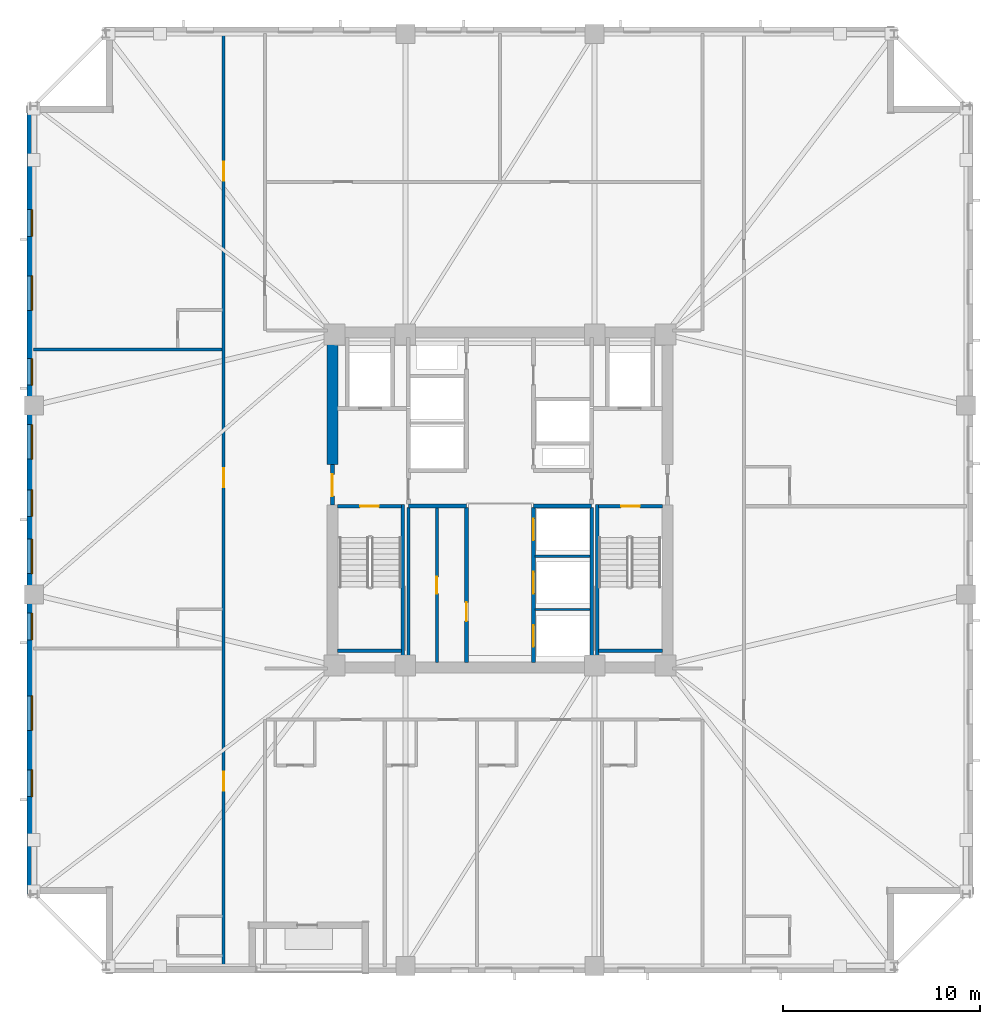
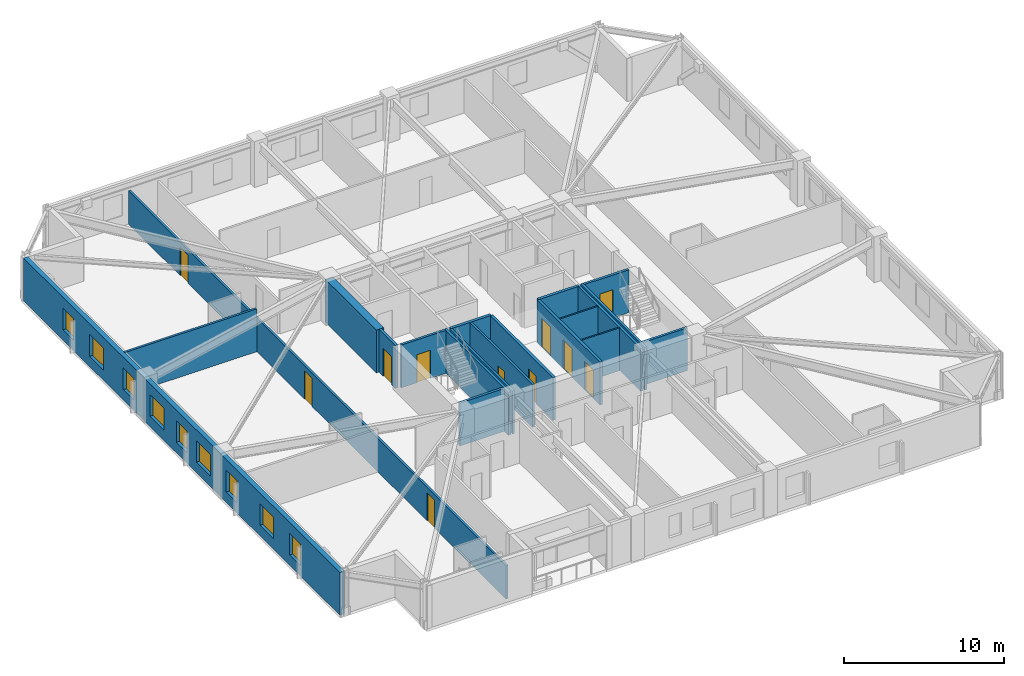
# One storey, part 3 of 11: 20 walls, 11 doors, 9 windows, 20 openings.
"""IFC4 building model written with IfcOpenShell, lengths in metres."""

import ifcopenshell
import ifcopenshell.guid

model = None  # the IFC model being written
_history = None  # IfcOwnerHistory: only IFC2X3 demands one
_inside = {}  # id of a spatial element -> (the spatial element, [elements in it])
_under = {}  # id of a project, library or spatial element -> (it, [spatial elements below it])
_declared = {}  # id of a project -> (the project, [libraries it declares])
_typed = {}  # id of a type object -> (the type object, [elements of that type])
_made_of = {}  # id of a material, layer set ... -> (it, [elements and type objects made of it])


def new_model(schema):
    """Start an empty IFC model of exactly this schema.

    Asked for "IFC4X3", IfcOpenShell would pick the latest addendum, in which some entities
    have other attributes; the version numbers below select the first issue.
    IFC2X3 requires an IfcOwnerHistory on every rooted entity: one is made here for all.
    """
    global model, _history
    if schema == "IFC4X3":
        model = ifcopenshell.file(schema_version=(4, 3, 0, 0))
    else:
        model = ifcopenshell.file(schema=schema)
    _inside.clear()
    _under.clear()
    _declared.clear()
    _typed.clear()
    _made_of.clear()
    _history = None
    if model.schema == "IFC2X3":
        org = make("IfcOrganization", Name="unknown")
        user = make(
            "IfcPersonAndOrganization",
            ThePerson=make("IfcPerson", FamilyName="unknown"),
            TheOrganization=org,
        )
        app = make(
            "IfcApplication",
            ApplicationDeveloper=org,
            Version="unknown",
            ApplicationFullName="unknown",
            ApplicationIdentifier="unknown",
        )
        _history = make(
            "IfcOwnerHistory",
            OwningUser=user,
            OwningApplication=app,
            ChangeAction="ADDED",
            CreationDate=0,
        )
    return model


def make(cls, **values):
    """One entity of the class cls with the attributes given. An attribute that is None is left unset."""
    return model.create_entity(
        cls, **{name: value for name, value in values.items() if value is not None}
    )


def rooted(cls, **values):
    """An entity with a GlobalId (a new one), such as an element, a storey or a relation."""
    return make(cls, GlobalId=ifcopenshell.guid.new(), OwnerHistory=_history, **values)


def si_unit(unit_type, name, prefix=None):
    """IfcSIUnit, for example si_unit("LENGTHUNIT", "METRE", prefix="MILLI")."""
    return make("IfcSIUnit", UnitType=unit_type, Prefix=prefix, Name=name)


def assignment(units):
    """IfcUnitAssignment: the units of a project."""
    return None if units is None else make("IfcUnitAssignment", Units=units)


def point(xyz):
    """IfcCartesianPoint."""
    return None if xyz is None else make("IfcCartesianPoint", Coordinates=xyz)


def direction(xyz):
    """IfcDirection."""
    return None if xyz is None else make("IfcDirection", DirectionRatios=xyz)


def frame(location, z_axis=None, x_axis=None):
    """IfcAxis2Placement3D, a coordinate frame: its origin and axes. An axis left out is left unset."""
    return make(
        "IfcAxis2Placement3D",
        Location=point(location),
        Axis=direction(z_axis),
        RefDirection=direction(x_axis),
    )


def frame_2d(location, x_axis=None):
    """IfcAxis2Placement2D, a coordinate frame in the plane: its origin and x axis."""
    return make(
        "IfcAxis2Placement2D", Location=point(location), RefDirection=direction(x_axis)
    )


def origin():
    """The frame at (0, 0, 0) with its axes left unset."""
    return frame((0.0, 0.0, 0.0))


def place(relative_to, where):
    """IfcLocalPlacement: puts the frame where relative to a parent placement (None: the world)."""
    return make(
        "IfcLocalPlacement", PlacementRelTo=relative_to, RelativePlacement=where
    )


def context(
    kind, dimensions, precision=None, world=None, true_north=None, identifier=None
):
    """IfcGeometricRepresentationContext, for example the 3D "Model" context."""
    return make(
        "IfcGeometricRepresentationContext",
        ContextIdentifier=identifier,
        ContextType=kind,
        CoordinateSpaceDimension=dimensions,
        Precision=precision,
        WorldCoordinateSystem=world,
        TrueNorth=true_north,
    )


def subcontext(parent, identifier, kind, view, scale=None):
    """IfcGeometricRepresentationSubContext, for example "Body" below "Model"."""
    return make(
        "IfcGeometricRepresentationSubContext",
        ContextIdentifier=identifier,
        ContextType=kind,
        ParentContext=parent,
        TargetScale=scale,
        TargetView=view,
    )


def project(units=None, contexts=None):
    """IfcProject with its units and contexts."""
    return rooted(
        "IfcProject",
        Name="project",
        RepresentationContexts=contexts,
        UnitsInContext=assignment(units),
    )


def spatial(cls, under=None, at=None, **own):
    """A site, building, storey or space (cls), placed at a placement, below another one or the project."""
    s = rooted(cls, ObjectPlacement=at, **own)
    if under is not None:
        _under.setdefault(under.id(), (under, []))[1].append(s)
    return s


def profile(cls, at=None, kind="AREA", **sizes):
    """A parametric profile (cls). Its sizes go by their IFC names, for example OverallWidth=200.0."""
    return make(cls, ProfileType=kind, Position=at, **sizes)


def rectangle(**sizes):
    """IfcRectangleProfileDef."""
    return profile("IfcRectangleProfileDef", **sizes)


def extrude(swept, where, along, depth):
    """IfcExtrudedAreaSolid: the profile swept, set in the frame where, extruded along a direction by depth."""
    return make(
        "IfcExtrudedAreaSolid",
        SweptArea=swept,
        Position=where,
        ExtrudedDirection=direction(along),
        Depth=depth,
    )


def shape(context_of_items, identifier, shape_type, items):
    """IfcShapeRepresentation: the items that make up one representation, for example the "Body"."""
    return make(
        "IfcShapeRepresentation",
        ContextOfItems=context_of_items,
        RepresentationIdentifier=identifier,
        RepresentationType=shape_type,
        Items=items,
    )


def material(Name=None, Category=None):
    """IfcMaterial."""
    return make("IfcMaterial", Name=Name, Category=Category)


def layer(
    of_material, thickness, ventilated=None, Name=None, Category=None, Priority=None
):
    """IfcMaterialLayer: one layer of a wall or slab, of a material (None: an air gap)."""
    return make(
        "IfcMaterialLayer",
        Material=of_material,
        LayerThickness=thickness,
        IsVentilated=ventilated,
        Name=Name,
        Category=Category,
        Priority=Priority,
    )


def layer_set(layers, Name=None):
    """IfcMaterialLayerSet."""
    return make("IfcMaterialLayerSet", MaterialLayers=layers, LayerSetName=Name)


def made_of(thing, what):
    """Note that an element or type object is made of a material, layer set ...; save() writes the relation."""
    if what is not None:
        _made_of.setdefault(what.id(), (what, []))[1].append(thing)
    return thing


def type_object(cls, material=None, **own):
    """A type object (cls), such as IfcWallType, which elements share."""
    return made_of(rooted(cls, **own), material)


def element(
    cls,
    number,
    at=None,
    inside=None,
    cuts=None,
    type_object=None,
    material=None,
    context=None,
    identifier="Body",
    shape_type=None,
    held_by="IfcProductDefinitionShape",
    body=None,
    shapes=None,
    **own,
):
    """One element of the class cls, such as IfcWall. Its Tag is "e" and its number.

    at: its placement. inside: the storey or other place that contains it. cuts: it is an
    opening in that element (IfcRelVoidsElement). A single representation is given by context,
    identifier, shape_type and body (its items); several are given by shapes. held_by: the class
    of the entity that holds the representations. save() writes the other relations.
    """
    e = rooted(cls, Tag="e%d" % number, ObjectPlacement=at, **own)
    if body is not None:
        shapes = [shape(context, identifier, shape_type, body)]
    if shapes is not None:
        e.Representation = make(held_by, Representations=shapes)
    if inside is not None:
        _inside.setdefault(inside.id(), (inside, []))[1].append(e)
    if cuts is not None:
        rooted(
            "IfcRelVoidsElement", RelatingBuildingElement=cuts, RelatedOpeningElement=e
        )
    if type_object is not None:
        _typed.setdefault(type_object.id(), (type_object, []))[1].append(e)
    return made_of(e, material)


def fill(opening, filler):
    """IfcRelFillsElement: the door or window that sits in an opening."""
    return rooted(
        "IfcRelFillsElement",
        RelatingOpeningElement=opening,
        RelatedBuildingElement=filler,
    )


def aggregate(whole, parts):
    """IfcRelAggregates: a whole, such as a stair, and the parts it consists of."""
    return rooted("IfcRelAggregates", RelatingObject=whole, RelatedObjects=parts)


def save(model, path):
    """Write the relations noted so far, then the file.

    IfcRelAggregates (storeys below a building ...), IfcRelContainedInSpatialStructure (elements
    in a storey), IfcRelDefinesByType, IfcRelAssociatesMaterial and IfcRelDeclares: one each for
    every whole, place, type object, material and project.
    """
    for whole, parts in _under.values():
        aggregate(whole, parts)
    for where, things in _inside.values():
        rooted(
            "IfcRelContainedInSpatialStructure",
            RelatedElements=things,
            RelatingStructure=where,
        )
    for kind, things in _typed.values():
        rooted("IfcRelDefinesByType", RelatedObjects=things, RelatingType=kind)
    for what, things in _made_of.values():
        rooted("IfcRelAssociatesMaterial", RelatedObjects=things, RelatingMaterial=what)
    for by, libraries in _declared.values():
        rooted("IfcRelDeclares", RelatingContext=by, RelatedDefinitions=libraries)
    model.write(path)


model = new_model("IFC4")

# Units and contexts
model_context = context("Model", 3, precision=1e-05, world=origin(), true_north=direction((0.0, 1.0)))
body_context = subcontext(model_context, "Body", "Model", "MODEL_VIEW")
ifc_project = project(units=[si_unit("LENGTHUNIT", "METRE"), si_unit("AREAUNIT", "SQUARE_METRE"), si_unit("VOLUMEUNIT", "CUBIC_METRE"), si_unit("PLANEANGLEUNIT", "RADIAN"), si_unit("MASSUNIT", "GRAM", prefix="KILO")], contexts=[model_context])

# Site, building, storey
site_placement = place(None, origin())
site = spatial("IfcSite", under=ifc_project, at=site_placement, CompositionType="ELEMENT")
building_placement = place(site_placement, origin())
building = spatial("IfcBuilding", under=site, at=building_placement, Name="Cairnveth Concourse Tower", CompositionType="ELEMENT")
storey_placement = place(building_placement, frame((0.0, 0.0, 141.0)))
storey = spatial("IfcBuildingStorey", under=building, at=storey_placement, Name="L38", CompositionType="ELEMENT", Elevation=141.0)

# Wall
ifc_material_1 = material(Name="Gypsum Plasterboard Partition", Category="gypsum")
ifc_layer_1 = layer(ifc_material_1, 0.159912109375)
ifc_layer_set_1 = layer_set([ifc_layer_1], Name="Gypsum Plasterboard Partition")
wall_type_1 = type_object("IfcWallType", Name="ACOUSTIC PARTY WALL 180", PredefinedType="PARTITIONING", material=ifc_layer_set_1)
wall_1_placement = place(storey_placement, frame((47.35009765625, 30.760009765625, 0.0), z_axis=(0.0, 0.0, 1.0), x_axis=(0.0, 1.0, 0.0)))
element("IfcWall", 1, at=wall_1_placement, inside=storey, type_object=wall_type_1, Name="Interior Wall IW-L38-025", PredefinedType="PARTITIONING", context=body_context, shape_type="SweptSolid", body=[
    extrude(rectangle(XDim=7.85498046875, YDim=0.159912109375, at=frame_2d((3.927490234375, 0.0))), origin(), (0.0, 0.0, 1.0), 3.280029296875),
])

# Wall, opening, door
wall_2_placement = place(storey_placement, frame((48.800048828125, 30.760009765625, 0.0), z_axis=(0.0, 0.0, 1.0), x_axis=(0.0, 1.0, 0.0)))
wall_2 = element("IfcWall", 2, at=wall_2_placement, inside=storey, type_object=wall_type_1, Name="Interior Wall IW-L38-026", PredefinedType="PARTITIONING", context=body_context, shape_type="SweptSolid", body=[
    extrude(rectangle(XDim=7.85498046875, YDim=0.159912109375, at=frame_2d((3.927490234375, 0.0))), origin(), (0.0, 0.0, 1.0), 3.280029296875),
])
opening_1_placement = place(wall_2_placement, frame((3.489990234375, 0.0, 0.0)))
opening_1 = element("IfcOpeningElement", 3, at=opening_1_placement, cuts=wall_2, Name="Opening ID19", PredefinedType="OPENING", context=body_context, shape_type="SweptSolid", body=[
    extrude(rectangle(XDim=0.85009765625, YDim=2.1201171875, at=frame_2d((0.425048828125, 1.06005859375))), frame((0.0, 0.08984375, 0.0), z_axis=(0.0, -1.0, 0.0), x_axis=(1.0, 0.0, 0.0)), (0.0, 0.0, 1.0), 0.179931640625),
])
ifc_material_2 = material(Name="Steel Grade 350", Category="steel")
door_type_1 = type_object("IfcDoorType", Name="CORE SERVICE DOOR 850X2100", OperationType="NOTDEFINED", PredefinedType="DOOR", material=ifc_material_2)
door_1_placement = place(opening_1_placement, origin())
door_1 = element("IfcDoor", 4, at=door_1_placement, inside=storey, type_object=door_type_1, Name="Inner Store Door L38", OperationType="SINGLE_SWING_RIGHT", OverallHeight=2.1201171875, OverallWidth=0.85009765625, PredefinedType="DOOR", context=body_context, shape_type="SweptSolid", body=[
    extrude(rectangle(XDim=0.85009765625, YDim=2.1201171875, at=frame_2d((0.425048828125, 1.06005859375))), frame((0.0, 0.02490234375, 0.0), z_axis=(0.0, -1.0, 0.0), x_axis=(1.0, 0.0, 0.0)), (0.0, 0.0, 1.0), 0.050048828125),
])
fill(opening_1, door_1)

# Wall, openings, doors
wall_3_placement = place(storey_placement, frame((37.97509765625, 15.324951171875, 0.0), z_axis=(0.0, 0.0, 1.0), x_axis=(0.0, 1.0, 0.0)))
wall_3 = element("IfcWall", 5, at=wall_3_placement, inside=storey, type_object=wall_type_1, Name="Interior Wall IW-L38-036", PredefinedType="PARTITIONING", context=body_context, shape_type="SweptSolid", body=[
    extrude(rectangle(XDim=47.35009765625, YDim=0.159912109375, at=frame_2d((23.675048828125, 0.0))), origin(), (0.0, 0.0, 1.0), 2.554931640625),
])
opening_2_placement = place(wall_3_placement, frame((8.93359375, 0.0, 0.0)))
opening_2 = element("IfcOpeningElement", 6, at=opening_2_placement, cuts=wall_3, Name="Opening ID09", PredefinedType="OPENING", context=body_context, shape_type="SweptSolid", body=[
    extrude(rectangle(XDim=0.9599609375, YDim=2.14990234375, at=frame_2d((0.47998046875, 1.074951171875))), frame((0.0, 0.08984375, 0.0), z_axis=(0.0, -1.0, 0.0), x_axis=(1.0, 0.0, 0.0)), (0.0, 0.0, 1.0), 0.179931640625),
])
opening_3_placement = place(wall_3_placement, frame((24.31884765625, 0.0, 0.0)))
opening_3 = element("IfcOpeningElement", 7, at=opening_3_placement, cuts=wall_3, Name="Opening ID09", PredefinedType="OPENING", context=body_context, shape_type="SweptSolid", body=[
    extrude(rectangle(XDim=0.9599609375, YDim=2.14990234375, at=frame_2d((0.47998046875, 1.074951171875))), frame((0.0, 0.08984375, 0.0), z_axis=(0.0, -1.0, 0.0), x_axis=(1.0, 0.0, 0.0)), (0.0, 0.0, 1.0), 0.179931640625),
])
opening_4_placement = place(wall_3_placement, frame((39.88037109375, 0.0, 0.0)))
opening_4 = element("IfcOpeningElement", 8, at=opening_4_placement, cuts=wall_3, Name="Opening ID09", PredefinedType="OPENING", context=body_context, shape_type="SweptSolid", body=[
    extrude(rectangle(XDim=0.9599609375, YDim=2.14990234375, at=frame_2d((0.47998046875, 1.074951171875))), frame((0.0, 0.08984375, 0.0), z_axis=(0.0, -1.0, 0.0), x_axis=(1.0, 0.0, 0.0)), (0.0, 0.0, 1.0), 0.179931640625),
])
ifc_material_3 = material(Name="Solid Core Hardwood Timber Leaf", Category="wood")
door_type_2 = type_object("IfcDoorType", Name="HOTEL ENTRANCE DOOR 960X2150", OperationType="NOTDEFINED", PredefinedType="DOOR", material=ifc_material_3)
door_2_placement = place(opening_2_placement, origin())
door_2 = element("IfcDoor", 9, at=door_2_placement, inside=storey, type_object=door_type_2, Name="Hotel Room Door L38-W1", OperationType="SINGLE_SWING_LEFT", OverallHeight=2.14990234375, OverallWidth=0.9599609375, PredefinedType="DOOR", context=body_context, shape_type="SweptSolid", body=[
    extrude(rectangle(XDim=0.9599609375, YDim=2.14990234375, at=frame_2d((0.47998046875, 1.074951171875))), frame((0.0, 0.02490234375, 0.0), z_axis=(0.0, -1.0, 0.0), x_axis=(1.0, 0.0, 0.0)), (0.0, 0.0, 1.0), 0.050048828125),
])
fill(opening_2, door_2)
door_3_placement = place(opening_3_placement, origin())
door_3 = element("IfcDoor", 10, at=door_3_placement, inside=storey, type_object=door_type_2, Name="Hotel Room Door L38-W2", OperationType="SINGLE_SWING_LEFT", OverallHeight=2.14990234375, OverallWidth=0.9599609375, PredefinedType="DOOR", context=body_context, shape_type="SweptSolid", body=[
    extrude(rectangle(XDim=0.9599609375, YDim=2.14990234375, at=frame_2d((0.47998046875, 1.074951171875))), frame((0.0, 0.02490234375, 0.0), z_axis=(0.0, -1.0, 0.0), x_axis=(1.0, 0.0, 0.0)), (0.0, 0.0, 1.0), 0.050048828125),
])
fill(opening_3, door_3)
door_4_placement = place(opening_4_placement, origin())
door_4 = element("IfcDoor", 11, at=door_4_placement, inside=storey, type_object=door_type_2, Name="Hotel Room Door L38-W3", OperationType="SINGLE_SWING_LEFT", OverallHeight=2.14990234375, OverallWidth=0.9599609375, PredefinedType="DOOR", context=body_context, shape_type="SweptSolid", body=[
    extrude(rectangle(XDim=0.9599609375, YDim=2.14990234375, at=frame_2d((0.47998046875, 1.074951171875))), frame((0.0, 0.02490234375, 0.0), z_axis=(0.0, -1.0, 0.0), x_axis=(1.0, 0.0, 0.0)), (0.0, 0.0, 1.0), 0.050048828125),
])
fill(opening_4, door_4)

# Walls
wall_4_placement = place(storey_placement, frame((28.324951171875, 46.640625, 0.0), z_axis=(0.0, 0.0, 1.0), x_axis=(1.0, 0.0, 0.0)))
element("IfcWall", 12, at=wall_4_placement, inside=storey, type_object=wall_type_1, Name="Interior Wall IW-L38-067", PredefinedType="PARTITIONING", context=body_context, shape_type="SweptSolid", body=[
    extrude(rectangle(XDim=9.570068359375, YDim=0.159912109375, at=frame_2d((4.78515625, 0.0))), origin(), (0.0, 0.0, 1.0), 3.280029296875),
])
ifc_material_4 = material(Name="Concrete N80 (80 MPa)", Category="concrete")
ifc_layer_2 = layer(ifc_material_4, 0.550048828125)
ifc_layer_set_2 = layer_set([ifc_layer_2], Name="Concrete N80 (80 MPa)")
wall_type_2 = type_object("IfcWallType", Name="CORE SHEAR WALL 550", PredefinedType="SHEAR", material=ifc_layer_set_2)
wall_5_placement = place(storey_placement, frame((43.5, 40.800048828125, 0.0), z_axis=(0.0, 0.0, 1.0), x_axis=(0.0, 1.0, 0.0)))
element("IfcWall", 13, at=wall_5_placement, inside=storey, type_object=wall_type_2, Name="Core West Shear Wall N L38", PredefinedType="SHEAR", context=body_context, shape_type="SweptSolid", body=[
    extrude(rectangle(XDim=6.43505859375, YDim=0.550048828125, at=frame_2d((3.217529296875, 0.0))), origin(), (0.0, 0.0, 1.0), 3.280029296875),
])
ifc_material_5 = material(Name="Concrete N50 (50 MPa)", Category="concrete")
ifc_layer_3 = layer(ifc_material_5, 0.179931640625)
ifc_layer_set_3 = layer_set([ifc_layer_3], Name="Concrete N50 (50 MPa)")
wall_type_3 = type_object("IfcWallType", Name="FIRE SHAFT WALL 180", PredefinedType="SOLIDWALL", material=ifc_layer_set_3)
wall_6_placement = place(storey_placement, frame((56.64990234375, 30.760009765625, 0.0), z_axis=(0.0, 0.0, 1.0), x_axis=(0.0, 1.0, 0.0)))
element("IfcWall", 14, at=wall_6_placement, inside=storey, type_object=wall_type_3, Name="Interior Wall IW-L38-027", PredefinedType="SOLIDWALL", context=body_context, shape_type="SweptSolid", body=[
    extrude(rectangle(XDim=7.85498046875, YDim=0.179931640625, at=frame_2d((3.927490234375, 0.0))), origin(), (0.0, 0.0, 1.0), 3.280029296875),
])

# Wall, opening, door
wall_7_placement = place(storey_placement, frame((43.764892578125, 38.68994140625, 0.0), z_axis=(0.0, 0.0, 1.0), x_axis=(1.0, 0.0, 0.0)))
wall_7 = element("IfcWall", 15, at=wall_7_placement, inside=storey, type_object=wall_type_3, Name="Stair ST-1 Shaft Wall NEAR L38", PredefinedType="SOLIDWALL", context=body_context, shape_type="SweptSolid", body=[
    extrude(rectangle(XDim=3.230224609375, YDim=0.179931640625, at=frame_2d((1.615234375, 0.0))), origin(), (0.0, 0.0, 1.0), 3.280029296875),
])
opening_5_placement = place(wall_7_placement, frame((1.139892578125, 0.0, 0.0)))
opening_5 = element("IfcOpeningElement", 16, at=opening_5_placement, cuts=wall_7, Name="Opening ID12", PredefinedType="OPENING", context=body_context, shape_type="SweptSolid", body=[
    extrude(rectangle(XDim=0.949951171875, YDim=2.14990234375, at=frame_2d((0.47509765625, 1.074951171875))), frame((0.0, 0.099853515625, 0.0), z_axis=(0.0, -1.0, 0.0), x_axis=(1.0, 0.0, 0.0)), (0.0, 0.0, 1.0), 0.199951171875),
])
door_type_3 = type_object("IfcDoorType", Name="FIRE STAIR DOOR 950X2150", OperationType="NOTDEFINED", PredefinedType="DOOR", material=ifc_material_2)
door_5_placement = place(opening_5_placement, origin())
door_5 = element("IfcDoor", 17, at=door_5_placement, inside=storey, type_object=door_type_3, Name="Stair ST-1 Fire Door L38", OperationType="SINGLE_SWING_LEFT", OverallHeight=2.14990234375, OverallWidth=0.949951171875, PredefinedType="DOOR", context=body_context, shape_type="SweptSolid", body=[
    extrude(rectangle(XDim=0.949951171875, YDim=2.14990234375, at=frame_2d((0.47509765625, 1.074951171875))), frame((0.0, 0.02490234375, 0.0), z_axis=(0.0, -1.0, 0.0), x_axis=(1.0, 0.0, 0.0)), (0.0, 0.0, 1.0), 0.050048828125),
])
fill(opening_5, door_5)

# Walls
wall_8_placement = place(storey_placement, frame((43.764892578125, 31.360107421875, 0.0), z_axis=(0.0, 0.0, 1.0), x_axis=(1.0, 0.0, 0.0)))
element("IfcWall", 18, at=wall_8_placement, inside=storey, type_object=wall_type_3, Name="Stair ST-1 Shaft Wall FAR L38", PredefinedType="SOLIDWALL", context=body_context, shape_type="SweptSolid", body=[
    extrude(rectangle(XDim=3.230224609375, YDim=0.179931640625, at=frame_2d((1.615234375, 0.0))), origin(), (0.0, 0.0, 1.0), 3.280029296875),
])
wall_9_placement = place(storey_placement, frame((47.070068359375, 38.780029296875, 0.0), z_axis=(0.0, 0.0, 1.0), x_axis=(0.0, -1.0, 0.0)))
element("IfcWall", 19, at=wall_9_placement, inside=storey, type_object=wall_type_3, Name="Stair ST-1 Shaft Wall RGHT L38", PredefinedType="SOLIDWALL", context=body_context, shape_type="SweptSolid", body=[
    extrude(rectangle(XDim=8.01708984375, YDim=0.179931640625, at=frame_2d((4.008544921875, 0.0))), origin(), (0.0, 0.0, 1.0), 3.280029296875),
])

# Wall, opening, door
wall_10_placement = place(storey_placement, frame((57.0048828125, 38.68994140625, 0.0), z_axis=(0.0, 0.0, 1.0), x_axis=(1.0, 0.0, 0.0)))
wall_10 = element("IfcWall", 20, at=wall_10_placement, inside=storey, type_object=wall_type_3, Name="Stair ST-2 Shaft Wall NEAR L38", PredefinedType="SOLIDWALL", context=body_context, shape_type="SweptSolid", body=[
    extrude(rectangle(XDim=3.230224609375, YDim=0.179931640625, at=frame_2d((1.615234375, 0.0))), origin(), (0.0, 0.0, 1.0), 3.280029296875),
])
opening_6_placement = place(wall_10_placement, frame((1.139892578125, 0.0, 0.0)))
opening_6 = element("IfcOpeningElement", 21, at=opening_6_placement, cuts=wall_10, Name="Opening ID12", PredefinedType="OPENING", context=body_context, shape_type="SweptSolid", body=[
    extrude(rectangle(XDim=0.949951171875, YDim=2.14990234375, at=frame_2d((0.47509765625, 1.074951171875))), frame((0.0, 0.099853515625, 0.0), z_axis=(0.0, -1.0, 0.0), x_axis=(1.0, 0.0, 0.0)), (0.0, 0.0, 1.0), 0.199951171875),
])
door_6_placement = place(opening_6_placement, origin())
door_6 = element("IfcDoor", 22, at=door_6_placement, inside=storey, type_object=door_type_3, Name="Stair ST-2 Fire Door L38", OperationType="SINGLE_SWING_RIGHT", OverallHeight=2.14990234375, OverallWidth=0.949951171875, PredefinedType="DOOR", context=body_context, shape_type="SweptSolid", body=[
    extrude(rectangle(XDim=0.949951171875, YDim=2.14990234375, at=frame_2d((0.47509765625, 1.074951171875))), frame((0.0, 0.02490234375, 0.0), z_axis=(0.0, -1.0, 0.0), x_axis=(1.0, 0.0, 0.0)), (0.0, 0.0, 1.0), 0.050048828125),
])
fill(opening_6, door_6)

# Walls
wall_11_placement = place(storey_placement, frame((57.0048828125, 31.360107421875, 0.0), z_axis=(0.0, 0.0, 1.0), x_axis=(1.0, 0.0, 0.0)))
element("IfcWall", 23, at=wall_11_placement, inside=storey, type_object=wall_type_3, Name="Stair ST-2 Shaft Wall FAR L38", PredefinedType="SOLIDWALL", context=body_context, shape_type="SweptSolid", body=[
    extrude(rectangle(XDim=3.230224609375, YDim=0.179931640625, at=frame_2d((1.615234375, 0.0))), origin(), (0.0, 0.0, 1.0), 3.280029296875),
])
wall_12_placement = place(storey_placement, frame((56.929931640625, 38.780029296875, 0.0), z_axis=(0.0, 0.0, 1.0), x_axis=(0.0, -1.0, 0.0)))
element("IfcWall", 24, at=wall_12_placement, inside=storey, type_object=wall_type_3, Name="Stair ST-2 Shaft Wall LEFT L38", PredefinedType="SOLIDWALL", context=body_context, shape_type="SweptSolid", body=[
    extrude(rectangle(XDim=8.01708984375, YDim=0.179931640625, at=frame_2d((4.008544921875, 0.0))), origin(), (0.0, 0.0, 1.0), 3.280029296875),
])
ifc_layer_4 = layer(ifc_material_5, 0.199951171875)
ifc_layer_set_4 = layer_set([ifc_layer_4], Name="Concrete N50 (50 MPa)")
wall_type_4 = type_object("IfcWallType", Name="FIRE SHAFT WALL 200", PredefinedType="SOLIDWALL", material=ifc_layer_set_4)
for number, where, z_axis, x_axis, name in (
    (25, (47.35009765625, 38.699951171875, 0.0), (0.0, 0.0, 1.0), (1.0, 0.0, 0.0), "Interior Wall IW-L38-007"),
    (26, (53.699951171875, 38.699951171875, 0.0), (0.0, 0.0, 1.0), (1.0, 0.0, 0.0), "Interior Wall IW-L38-009"),
):
    element("IfcWall", number, at=place(storey_placement, frame(where, z_axis=z_axis, x_axis=x_axis)), inside=storey, type_object=wall_type_4, Name=name, PredefinedType="SOLIDWALL", context=body_context, shape_type="SweptSolid", body=[
        extrude(rectangle(XDim=2.949951171875, YDim=0.199951171875, at=frame_2d((1.47509765625, 0.0))), origin(), (0.0, 0.0, 1.0), 3.280029296875),
    ])

# Wall, opening, door
wall_13_placement = place(storey_placement, frame((50.300048828125, 30.760009765625, 0.0), z_axis=(0.0, 0.0, 1.0), x_axis=(0.0, 1.0, 0.0)))
wall_13 = element("IfcWall", 27, at=wall_13_placement, inside=storey, type_object=wall_type_4, Name="Interior Wall IW-L38-011", PredefinedType="SOLIDWALL", context=body_context, shape_type="SweptSolid", body=[
    extrude(rectangle(XDim=7.85498046875, YDim=0.199951171875, at=frame_2d((3.927490234375, 0.0))), origin(), (0.0, 0.0, 1.0), 3.280029296875),
])
opening_7_placement = place(wall_13_placement, frame((2.090087890625, 0.0, 0.0)))
opening_7 = element("IfcOpeningElement", 28, at=opening_7_placement, cuts=wall_13, Name="Opening ID25", PredefinedType="OPENING", context=body_context, shape_type="SweptSolid", body=[
    extrude(rectangle(XDim=0.949951171875, YDim=2.1201171875, at=frame_2d((0.47509765625, 1.06005859375))), frame((0.0, 0.10986328125, 0.0), z_axis=(0.0, -1.0, 0.0), x_axis=(1.0, 0.0, 0.0)), (0.0, 0.0, 1.0), 0.219970703125),
])
door_type_4 = type_object("IfcDoorType", Name="CORE ACCESSIBLE FIRE DOOR 950X2120", OperationType="NOTDEFINED", PredefinedType="DOOR", material=ifc_material_2)
door_7_placement = place(opening_7_placement, origin())
door_7 = element("IfcDoor", 29, at=door_7_placement, inside=storey, type_object=door_type_4, Name="Accessible WC Suite Door L38", OperationType="SINGLE_SWING_LEFT", OverallHeight=2.1201171875, OverallWidth=0.949951171875, PredefinedType="DOOR", context=body_context, shape_type="SweptSolid", body=[
    extrude(rectangle(XDim=0.949951171875, YDim=2.1201171875, at=frame_2d((0.47509765625, 1.06005859375))), frame((0.0, 0.02490234375, 0.0), z_axis=(0.0, -1.0, 0.0), x_axis=(1.0, 0.0, 0.0)), (0.0, 0.0, 1.0), 0.050048828125),
])
fill(opening_7, door_7)

# Wall, openings, doors
wall_14_placement = place(storey_placement, frame((53.699951171875, 30.760009765625, 0.0), z_axis=(0.0, 0.0, 1.0), x_axis=(0.0, 1.0, 0.0)))
wall_14 = element("IfcWall", 30, at=wall_14_placement, inside=storey, type_object=wall_type_4, Name="Interior Wall IW-L38-012", PredefinedType="SOLIDWALL", context=body_context, shape_type="SweptSolid", body=[
    extrude(rectangle(XDim=7.85498046875, YDim=0.199951171875, at=frame_2d((3.927490234375, 0.0))), origin(), (0.0, 0.0, 1.0), 3.280029296875),
])
opening_8_placement = place(wall_14_placement, frame((0.7900390625, 0.0, 0.0)))
opening_8 = element("IfcOpeningElement", 31, at=opening_8_placement, cuts=wall_14, Name="Opening LD-1", PredefinedType="OPENING", context=body_context, shape_type="SweptSolid", body=[
    extrude(rectangle(XDim=1.10009765625, YDim=2.199951171875, at=frame_2d((0.550048828125, 1.10009765625))), frame((0.0, 0.10986328125, 0.0), z_axis=(0.0, -1.0, 0.0), x_axis=(1.0, 0.0, 0.0)), (0.0, 0.0, 1.0), 0.219970703125),
])
opening_9_placement = place(wall_14_placement, frame((3.489990234375, 0.0, 0.0)))
opening_9 = element("IfcOpeningElement", 32, at=opening_9_placement, cuts=wall_14, Name="Opening LD-1", PredefinedType="OPENING", context=body_context, shape_type="SweptSolid", body=[
    extrude(rectangle(XDim=1.10009765625, YDim=2.199951171875, at=frame_2d((0.550048828125, 1.10009765625))), frame((0.0, 0.10986328125, 0.0), z_axis=(0.0, -1.0, 0.0), x_axis=(1.0, 0.0, 0.0)), (0.0, 0.0, 1.0), 0.219970703125),
])
opening_10_placement = place(wall_14_placement, frame((6.18994140625, 0.0, 0.0)))
opening_10 = element("IfcOpeningElement", 33, at=opening_10_placement, cuts=wall_14, Name="Opening LD-1", PredefinedType="OPENING", context=body_context, shape_type="SweptSolid", body=[
    extrude(rectangle(XDim=1.10009765625, YDim=2.199951171875, at=frame_2d((0.550048828125, 1.10009765625))), frame((0.0, 0.10986328125, 0.0), z_axis=(0.0, -1.0, 0.0), x_axis=(1.0, 0.0, 0.0)), (0.0, 0.0, 1.0), 0.219970703125),
])
ifc_material_6 = material(Name="Architectural Bronze Anodised Aluminium 6063-T6", Category="aluminium")
door_type_5 = type_object("IfcDoorType", Name="LIFT LANDING DOOR 1100X2200", OperationType="SLIDING_TO_LEFT", PredefinedType="DOOR", material=ifc_material_6)
door_8_placement = place(opening_8_placement, origin())
door_8 = element("IfcDoor", 34, at=door_8_placement, inside=storey, type_object=door_type_5, Name="Lift PL4 Landing Door L38", OperationType="SLIDING_TO_LEFT", OverallHeight=2.199951171875, OverallWidth=1.10009765625, PredefinedType="DOOR", context=body_context, shape_type="SweptSolid", body=[
    extrude(rectangle(XDim=1.10009765625, YDim=2.199951171875, at=frame_2d((0.550048828125, 1.10009765625))), frame((0.0, 0.02490234375, 0.0), z_axis=(0.0, -1.0, 0.0), x_axis=(1.0, 0.0, 0.0)), (0.0, 0.0, 1.0), 0.050048828125),
])
fill(opening_8, door_8)
door_9_placement = place(opening_9_placement, origin())
door_9 = element("IfcDoor", 35, at=door_9_placement, inside=storey, type_object=door_type_5, Name="Lift PL5 Landing Door L38", OperationType="SLIDING_TO_LEFT", OverallHeight=2.199951171875, OverallWidth=1.10009765625, PredefinedType="DOOR", context=body_context, shape_type="SweptSolid", body=[
    extrude(rectangle(XDim=1.10009765625, YDim=2.199951171875, at=frame_2d((0.550048828125, 1.10009765625))), frame((0.0, 0.02490234375, 0.0), z_axis=(0.0, -1.0, 0.0), x_axis=(1.0, 0.0, 0.0)), (0.0, 0.0, 1.0), 0.050048828125),
])
fill(opening_9, door_9)
door_10_placement = place(opening_10_placement, origin())
door_10 = element("IfcDoor", 36, at=door_10_placement, inside=storey, type_object=door_type_5, Name="Lift PL6 Landing Door L38", OperationType="SLIDING_TO_LEFT", OverallHeight=2.199951171875, OverallWidth=1.10009765625, PredefinedType="DOOR", context=body_context, shape_type="SweptSolid", body=[
    extrude(rectangle(XDim=1.10009765625, YDim=2.199951171875, at=frame_2d((0.550048828125, 1.10009765625))), frame((0.0, 0.02490234375, 0.0), z_axis=(0.0, -1.0, 0.0), x_axis=(1.0, 0.0, 0.0)), (0.0, 0.0, 1.0), 0.050048828125),
])
fill(opening_10, door_10)

# Wall, opening, door
wall_15_placement = place(storey_placement, frame((43.5, 38.75, 0.0), z_axis=(0.0, 0.0, 1.0), x_axis=(0.0, 1.0, 0.0)))
wall_15 = element("IfcWall", 37, at=wall_15_placement, inside=storey, type_object=wall_type_4, Name="Interior Wall IW-L38-015", PredefinedType="SOLIDWALL", context=body_context, shape_type="SweptSolid", body=[
    extrude(rectangle(XDim=2.050048828125, YDim=0.199951171875, at=frame_2d((1.02490234375, 0.0))), origin(), (0.0, 0.0, 1.0), 3.280029296875),
])
opening_11_placement = place(wall_15_placement, frame((0.449951171875, 0.0, 0.0)))
opening_11 = element("IfcOpeningElement", 38, at=opening_11_placement, cuts=wall_15, Name="Opening ID06", PredefinedType="OPENING", context=body_context, shape_type="SweptSolid", body=[
    extrude(rectangle(XDim=1.10009765625, YDim=2.14990234375, at=frame_2d((0.550048828125, 1.074951171875))), frame((0.0, 0.10986328125, 0.0), z_axis=(0.0, -1.0, 0.0), x_axis=(1.0, 0.0, 0.0)), (0.0, 0.0, 1.0), 0.219970703125),
])
door_type_6 = type_object("IfcDoorType", Name="FIRE CORRIDOR DOOR 1100X2150", OperationType="NOTDEFINED", PredefinedType="DOOR", material=ifc_material_2)
door_11_placement = place(opening_11_placement, origin())
door_11 = element("IfcDoor", 39, at=door_11_placement, inside=storey, type_object=door_type_6, Name="West Wing to FF Lobby Door L38", OperationType="SINGLE_SWING_LEFT", OverallHeight=2.14990234375, OverallWidth=1.10009765625, PredefinedType="DOOR", context=body_context, shape_type="SweptSolid", body=[
    extrude(rectangle(XDim=1.10009765625, YDim=2.14990234375, at=frame_2d((0.550048828125, 1.074951171875))), frame((0.0, 0.02490234375, 0.0), z_axis=(0.0, -1.0, 0.0), x_axis=(1.0, 0.0, 0.0)), (0.0, 0.0, 1.0), 0.050048828125),
])
fill(opening_11, door_11)

# Walls
ifc_layer_5 = layer(ifc_material_1, 0.110107421875)
ifc_layer_set_5 = layer_set([ifc_layer_5], Name="Gypsum Plasterboard Partition")
wall_type_5 = type_object("IfcWallType", Name="SHAFT DIVIDER WALL 140", PredefinedType="PARTITIONING", material=ifc_layer_set_5)
for number, where, z_axis, x_axis, name in (
    (40, (53.784912109375, 33.449951171875, 0.0), (0.0, 0.0, 1.0), (1.0, 0.0, 0.0), "Interior Wall IW-L38-028"),
    (41, (53.784912109375, 36.14990234375, 0.0), (0.0, 0.0, 1.0), (1.0, 0.0, 0.0), "Interior Wall IW-L38-029"),
):
    element("IfcWall", number, at=place(storey_placement, frame(where, z_axis=z_axis, x_axis=x_axis)), inside=storey, type_object=wall_type_5, Name=name, PredefinedType="PARTITIONING", context=body_context, shape_type="SweptSolid", body=[
        extrude(rectangle(XDim=2.7900390625, YDim=0.110107421875, at=frame_2d((1.39501953125, 0.0))), origin(), (0.0, 0.0, 1.0), 3.280029296875),
    ])

# Wall, openings, windows
ifc_material_7 = material(Name="Hawthorn Red-Ochre Fired Clay Brick Masonry", Category="masonry")
ifc_layer_6 = layer(ifc_material_7, 0.340087890625)
ifc_layer_set_6 = layer_set([ifc_layer_6], Name="Hawthorn Red-Ochre Fired Clay Brick Masonry")
wall_type_6 = type_object("IfcWallType", Name="ZONE 2 BRICK PIER SPANDREL WALL 340", PredefinedType="SOLIDWALL", material=ifc_layer_set_6)
wall_16_placement = place(storey_placement, frame((28.169921875, 19.0, 0.0), z_axis=(0.0, 0.0, 1.0), x_axis=(0.0, 1.0, 0.0)))
wall_16 = element("IfcWall", 42, at=wall_16_placement, inside=storey, type_object=wall_type_6, Name="Exterior Wall EW-L38-S03", PredefinedType="SOLIDWALL", context=body_context, shape_type="SweptSolid", body=[
    extrude(rectangle(XDim=39.681884765625, YDim=0.340087890625, at=frame_2d((19.8408203125, 0.0))), origin(), (0.0, 0.0, 1.0), 3.280029296875),
])
opening_12_placement = place(wall_16_placement, frame((4.951904296875, 0.0, 0.800048828125)))
opening_12 = element("IfcOpeningElement", 43, at=opening_12_placement, cuts=wall_16, Name="Opening W02", PredefinedType="OPENING", context=body_context, shape_type="SweptSolid", body=[
    extrude(rectangle(XDim=1.35009765625, YDim=1.659912109375, at=frame_2d((0.675048828125, 0.830078125))), frame((0.0, 0.179931640625, 0.0), z_axis=(0.0, -1.0, 0.0), x_axis=(1.0, 0.0, 0.0)), (0.0, 0.0, 1.0), 0.360107421875),
])
opening_13_placement = place(wall_16_placement, frame((8.305419921875, 0.0, 0.800048828125)))
opening_13 = element("IfcOpeningElement", 44, at=opening_13_placement, cuts=wall_16, Name="Opening W06", PredefinedType="OPENING", context=body_context, shape_type="SweptSolid", body=[
    extrude(rectangle(XDim=1.75, YDim=1.659912109375, at=frame_2d((0.875, 0.830078125))), frame((0.0, 0.179931640625, 0.0), z_axis=(0.0, -1.0, 0.0), x_axis=(1.0, 0.0, 0.0)), (0.0, 0.0, 1.0), 0.360107421875),
])
opening_14_placement = place(wall_16_placement, frame((12.908935546875, 0.0, 0.800048828125)))
opening_14 = element("IfcOpeningElement", 45, at=opening_14_placement, cuts=wall_16, Name="Opening W02", PredefinedType="OPENING", context=body_context, shape_type="SweptSolid", body=[
    extrude(rectangle(XDim=1.35009765625, YDim=1.659912109375, at=frame_2d((0.675048828125, 0.830078125))), frame((0.0, 0.179931640625, 0.0), z_axis=(0.0, -1.0, 0.0), x_axis=(1.0, 0.0, 0.0)), (0.0, 0.0, 1.0), 0.360107421875),
])
opening_15_placement = place(wall_16_placement, frame((16.262451171875, 0.0, 0.800048828125)))
opening_15 = element("IfcOpeningElement", 46, at=opening_15_placement, cuts=wall_16, Name="Opening W06", PredefinedType="OPENING", context=body_context, shape_type="SweptSolid", body=[
    extrude(rectangle(XDim=1.75, YDim=1.659912109375, at=frame_2d((0.875, 0.830078125))), frame((0.0, 0.179931640625, 0.0), z_axis=(0.0, -1.0, 0.0), x_axis=(1.0, 0.0, 0.0)), (0.0, 0.0, 1.0), 0.360107421875),
])
opening_16_placement = place(wall_16_placement, frame((19.166015625, 0.0, 0.800048828125)))
opening_16 = element("IfcOpeningElement", 47, at=opening_16_placement, cuts=wall_16, Name="Opening W02", PredefinedType="OPENING", context=body_context, shape_type="SweptSolid", body=[
    extrude(rectangle(XDim=1.35009765625, YDim=1.659912109375, at=frame_2d((0.675048828125, 0.830078125))), frame((0.0, 0.179931640625, 0.0), z_axis=(0.0, -1.0, 0.0), x_axis=(1.0, 0.0, 0.0)), (0.0, 0.0, 1.0), 0.360107421875),
])
opening_17_placement = place(wall_16_placement, frame((22.069580078125, 0.0, 0.800048828125)))
opening_17 = element("IfcOpeningElement", 48, at=opening_17_placement, cuts=wall_16, Name="Opening W06", PredefinedType="OPENING", context=body_context, shape_type="SweptSolid", body=[
    extrude(rectangle(XDim=1.75, YDim=1.659912109375, at=frame_2d((0.875, 0.830078125))), frame((0.0, 0.179931640625, 0.0), z_axis=(0.0, -1.0, 0.0), x_axis=(1.0, 0.0, 0.0)), (0.0, 0.0, 1.0), 0.360107421875),
])
opening_18_placement = place(wall_16_placement, frame((25.822998046875, 0.0, 0.800048828125)))
opening_18 = element("IfcOpeningElement", 49, at=opening_18_placement, cuts=wall_16, Name="Opening W02", PredefinedType="OPENING", context=body_context, shape_type="SweptSolid", body=[
    extrude(rectangle(XDim=1.35009765625, YDim=1.659912109375, at=frame_2d((0.675048828125, 0.830078125))), frame((0.0, 0.179931640625, 0.0), z_axis=(0.0, -1.0, 0.0), x_axis=(1.0, 0.0, 0.0)), (0.0, 0.0, 1.0), 0.360107421875),
])
opening_19_placement = place(wall_16_placement, frame((29.626708984375, 0.0, 0.800048828125)))
opening_19 = element("IfcOpeningElement", 50, at=opening_19_placement, cuts=wall_16, Name="Opening W06", PredefinedType="OPENING", context=body_context, shape_type="SweptSolid", body=[
    extrude(rectangle(XDim=1.75, YDim=1.659912109375, at=frame_2d((0.875, 0.830078125))), frame((0.0, 0.179931640625, 0.0), z_axis=(0.0, -1.0, 0.0), x_axis=(1.0, 0.0, 0.0)), (0.0, 0.0, 1.0), 0.360107421875),
])
opening_20_placement = place(wall_16_placement, frame((33.380126953125, 0.0, 0.800048828125)))
opening_20 = element("IfcOpeningElement", 51, at=opening_20_placement, cuts=wall_16, Name="Opening W02", PredefinedType="OPENING", context=body_context, shape_type="SweptSolid", body=[
    extrude(rectangle(XDim=1.35009765625, YDim=1.659912109375, at=frame_2d((0.675048828125, 0.830078125))), frame((0.0, 0.179931640625, 0.0), z_axis=(0.0, -1.0, 0.0), x_axis=(1.0, 0.0, 0.0)), (0.0, 0.0, 1.0), 0.360107421875),
])
ifc_material_8 = material(Name="Double Glazed Low-E Clear Glass", Category="glass")
window_type_1 = type_object("IfcWindowType", Name="DEEP-SET GOTHIC LANCET WINDOW 1350X1800", PartitioningType="DOUBLE_PANEL_VERTICAL", PredefinedType="WINDOW", material=ifc_material_8)
window_1_placement = place(opening_12_placement, origin())
window_1 = element("IfcWindow", 52, at=window_1_placement, inside=storey, type_object=window_type_1, Name="Gothic Lancet Window L38-3-1", OverallHeight=1.659912109375, OverallWidth=1.35009765625, PartitioningType="SINGLE_PANEL", PredefinedType="WINDOW", context=body_context, shape_type="SweptSolid", body=[
    extrude(rectangle(XDim=1.35009765625, YDim=1.659912109375, at=frame_2d((0.675048828125, 0.830078125))), frame((0.0, -0.050048828125, 0.0), z_axis=(0.0, -1.0, 0.0), x_axis=(1.0, 0.0, 0.0)), (0.0, 0.0, 1.0), 0.06005859375),
])
fill(opening_12, window_1)
window_2_placement = place(opening_14_placement, origin())
window_2 = element("IfcWindow", 53, at=window_2_placement, inside=storey, type_object=window_type_1, Name="Gothic Lancet Window L38-3-3", OverallHeight=1.659912109375, OverallWidth=1.35009765625, PartitioningType="SINGLE_PANEL", PredefinedType="WINDOW", context=body_context, shape_type="SweptSolid", body=[
    extrude(rectangle(XDim=1.35009765625, YDim=1.659912109375, at=frame_2d((0.675048828125, 0.830078125))), frame((0.0, -0.050048828125, 0.0), z_axis=(0.0, -1.0, 0.0), x_axis=(1.0, 0.0, 0.0)), (0.0, 0.0, 1.0), 0.06005859375),
])
fill(opening_14, window_2)
window_3_placement = place(opening_16_placement, origin())
window_3 = element("IfcWindow", 54, at=window_3_placement, inside=storey, type_object=window_type_1, Name="Gothic Lancet Window L38-3-5", OverallHeight=1.659912109375, OverallWidth=1.35009765625, PartitioningType="SINGLE_PANEL", PredefinedType="WINDOW", context=body_context, shape_type="SweptSolid", body=[
    extrude(rectangle(XDim=1.35009765625, YDim=1.659912109375, at=frame_2d((0.675048828125, 0.830078125))), frame((0.0, -0.050048828125, 0.0), z_axis=(0.0, -1.0, 0.0), x_axis=(1.0, 0.0, 0.0)), (0.0, 0.0, 1.0), 0.06005859375),
])
fill(opening_16, window_3)
window_4_placement = place(opening_18_placement, origin())
window_4 = element("IfcWindow", 55, at=window_4_placement, inside=storey, type_object=window_type_1, Name="Gothic Lancet Window L38-3-7", OverallHeight=1.659912109375, OverallWidth=1.35009765625, PartitioningType="SINGLE_PANEL", PredefinedType="WINDOW", context=body_context, shape_type="SweptSolid", body=[
    extrude(rectangle(XDim=1.35009765625, YDim=1.659912109375, at=frame_2d((0.675048828125, 0.830078125))), frame((0.0, -0.050048828125, 0.0), z_axis=(0.0, -1.0, 0.0), x_axis=(1.0, 0.0, 0.0)), (0.0, 0.0, 1.0), 0.06005859375),
])
fill(opening_18, window_4)
window_5_placement = place(opening_20_placement, origin())
window_5 = element("IfcWindow", 56, at=window_5_placement, inside=storey, type_object=window_type_1, Name="Gothic Lancet Window L38-3-9", OverallHeight=1.659912109375, OverallWidth=1.35009765625, PartitioningType="SINGLE_PANEL", PredefinedType="WINDOW", context=body_context, shape_type="SweptSolid", body=[
    extrude(rectangle(XDim=1.35009765625, YDim=1.659912109375, at=frame_2d((0.675048828125, 0.830078125))), frame((0.0, -0.050048828125, 0.0), z_axis=(0.0, -1.0, 0.0), x_axis=(1.0, 0.0, 0.0)), (0.0, 0.0, 1.0), 0.06005859375),
])
fill(opening_20, window_5)
window_type_2 = type_object("IfcWindowType", Name="DEEP-SET HOTEL SUITE WINDOW 1750X1800", PartitioningType="DOUBLE_PANEL_VERTICAL", PredefinedType="WINDOW", material=ifc_material_8)
window_6_placement = place(opening_13_placement, origin())
window_6 = element("IfcWindow", 57, at=window_6_placement, inside=storey, type_object=window_type_2, Name="Gothic Lancet Window L38-3-2", OverallHeight=1.659912109375, OverallWidth=1.75, PartitioningType="SINGLE_PANEL", PredefinedType="WINDOW", context=body_context, shape_type="SweptSolid", body=[
    extrude(rectangle(XDim=1.75, YDim=1.659912109375, at=frame_2d((0.875, 0.830078125))), frame((0.0, -0.050048828125, 0.0), z_axis=(0.0, -1.0, 0.0), x_axis=(1.0, 0.0, 0.0)), (0.0, 0.0, 1.0), 0.06005859375),
])
fill(opening_13, window_6)
window_7_placement = place(opening_15_placement, origin())
window_7 = element("IfcWindow", 58, at=window_7_placement, inside=storey, type_object=window_type_2, Name="Gothic Lancet Window L38-3-4", OverallHeight=1.659912109375, OverallWidth=1.75, PartitioningType="SINGLE_PANEL", PredefinedType="WINDOW", context=body_context, shape_type="SweptSolid", body=[
    extrude(rectangle(XDim=1.75, YDim=1.659912109375, at=frame_2d((0.875, 0.830078125))), frame((0.0, -0.050048828125, 0.0), z_axis=(0.0, -1.0, 0.0), x_axis=(1.0, 0.0, 0.0)), (0.0, 0.0, 1.0), 0.06005859375),
])
fill(opening_15, window_7)
window_8_placement = place(opening_17_placement, origin())
window_8 = element("IfcWindow", 59, at=window_8_placement, inside=storey, type_object=window_type_2, Name="Gothic Lancet Window L38-3-6", OverallHeight=1.659912109375, OverallWidth=1.75, PartitioningType="SINGLE_PANEL", PredefinedType="WINDOW", context=body_context, shape_type="SweptSolid", body=[
    extrude(rectangle(XDim=1.75, YDim=1.659912109375, at=frame_2d((0.875, 0.830078125))), frame((0.0, -0.050048828125, 0.0), z_axis=(0.0, -1.0, 0.0), x_axis=(1.0, 0.0, 0.0)), (0.0, 0.0, 1.0), 0.06005859375),
])
fill(opening_17, window_8)
window_9_placement = place(opening_19_placement, origin())
window_9 = element("IfcWindow", 60, at=window_9_placement, inside=storey, type_object=window_type_2, Name="Gothic Lancet Window L38-3-8", OverallHeight=1.659912109375, OverallWidth=1.75, PartitioningType="SINGLE_PANEL", PredefinedType="WINDOW", context=body_context, shape_type="SweptSolid", body=[
    extrude(rectangle(XDim=1.75, YDim=1.659912109375, at=frame_2d((0.875, 0.830078125))), frame((0.0, -0.050048828125, 0.0), z_axis=(0.0, -1.0, 0.0), x_axis=(1.0, 0.0, 0.0)), (0.0, 0.0, 1.0), 0.06005859375),
])
fill(opening_19, window_9)

save(model, "model.ifc")
